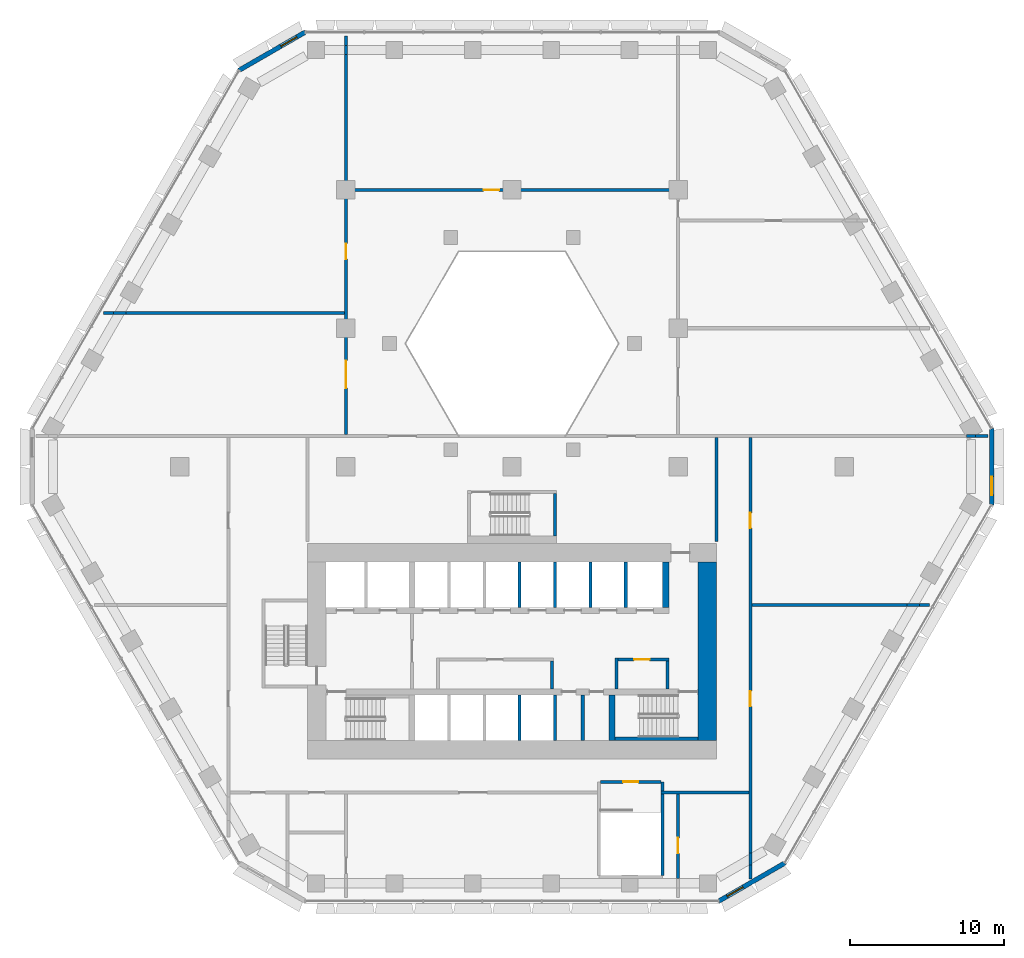
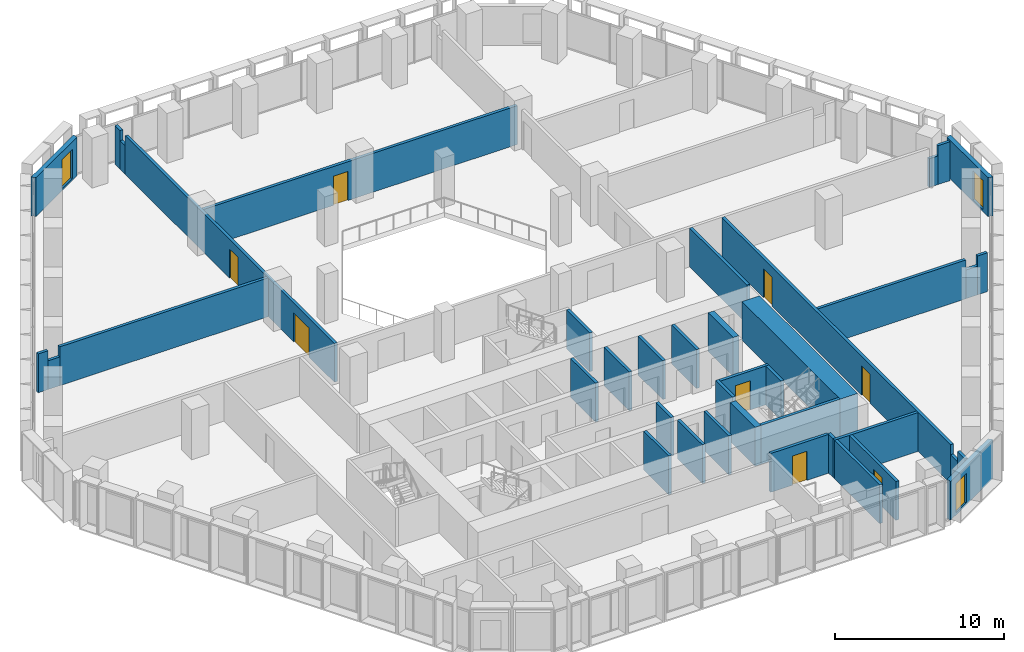
# One storey, part 13 of 21: 39 walls, 8 doors, 3 windows, 11 openings.
"""IFC4 building model written with IfcOpenShell, lengths in metres."""

from ifc_helpers import new_model, si_unit, direction, frame, frame_2d, origin, place, context, subcontext, project, spatial, polyline, rectangle, outline, extrude, material, layer, layer_set, type_object, element, fill, save


model = new_model("IFC4")

# Units and contexts
model_context = context("Model", 3, precision=1e-05, world=origin(), true_north=direction((0.0, 1.0)))
body_context = subcontext(model_context, "Body", "Model", "MODEL_VIEW")
ifc_project = project(units=[si_unit("LENGTHUNIT", "METRE"), si_unit("AREAUNIT", "SQUARE_METRE"), si_unit("VOLUMEUNIT", "CUBIC_METRE"), si_unit("PLANEANGLEUNIT", "RADIAN"), si_unit("MASSUNIT", "GRAM", prefix="KILO")], contexts=[model_context])

# Site, building, storey
site_placement = place(None, origin())
site = spatial("IfcSite", under=ifc_project, at=site_placement, CompositionType="ELEMENT")
building_placement = place(site_placement, origin())
building = spatial("IfcBuilding", under=site, at=building_placement, Name="Beryl Residences", CompositionType="ELEMENT")
storey_placement = place(building_placement, frame((0.0, 0.0, 19.800048828125)))
storey = spatial("IfcBuildingStorey", under=building, at=storey_placement, Name="L05", CompositionType="ELEMENT", Elevation=19.800048828125)

# Wall, opening, window
ifc_material_1 = material(Name="Composite metal panel with mineral wool insulation")
ifc_layer_1 = layer(ifc_material_1, 0.300048828125)
ifc_layer_set_1 = layer_set([ifc_layer_1], Name="ES1 pale metal composite panel wall 300 mm")
wall_type_1 = type_object("IfcWallType", Name="ES1 pale metal composite panel wall 300 mm", PredefinedType="SOLIDWALL", material=ifc_layer_set_1)
wall_1_placement = place(storey_placement, frame((-13.43505859375, 28.27001953125, 0.0), z_axis=(0.0, 0.0, 1.0), x_axis=(-0.866010750942, -0.50002537861, 0.0)))
wall_1 = element("IfcWall", 1, at=wall_1_placement, inside=storey, type_object=wall_type_1, Name="ES1 external wall L05 N-NW", PredefinedType="SOLIDWALL", context=body_context, shape_type="SweptSolid", body=[
    extrude(outline(polyline([(0.0, -0.14990234375), (4.999755859375, -0.14990234375), (4.91943359375, 0.14990234375), (0.080322265625, 0.14990234375), (0.0, -0.14990234375)])), origin(), (0.0, 0.0, 1.0), 2.800048828125),
])
opening_1_placement = place(wall_1_placement, frame((0.64990234375, 0.0, 0.14990234375)))
opening_1 = element("IfcOpeningElement", 2, at=opening_1_placement, cuts=wall_1, Name="Opening W2", PredefinedType="OPENING", context=body_context, shape_type="SweptSolid", body=[
    extrude(rectangle(XDim=1.199951171875, YDim=2.10009765625, at=frame_2d((0.60009765625, 1.050048828125))), frame((0.0, 0.159912109375, 0.0), z_axis=(0.0, -1.0, 0.0), x_axis=(1.0, 0.0, 0.0)), (0.0, 0.0, 1.0), 0.320068359375),
])
ifc_material_2 = material(Name="Aluminium and clear glass", Category="aluminium")
window_type = type_object("IfcWindowType", Name="W2 chamfer window 1200 x 2100 mm", PartitioningType="SINGLE_PANEL", PredefinedType="WINDOW", material=ifc_material_2)
window_1_placement = place(opening_1_placement, origin())
window_1 = element("IfcWindow", 3, at=window_1_placement, inside=storey, type_object=window_type, Name="W2 window L05 N-NW 1", OverallHeight=2.10009765625, OverallWidth=1.199951171875, PartitioningType="SINGLE_PANEL", PredefinedType="WINDOW", context=body_context, shape_type="SweptSolid", body=[
    extrude(rectangle(XDim=1.199951171875, YDim=2.10009765625, at=frame_2d((0.60009765625, 1.050048828125))), frame((0.0, 0.030029296875, 0.0), z_axis=(0.0, -1.0, 0.0), x_axis=(1.0, 0.0, 0.0)), (0.0, 0.0, 1.0), 0.06005859375),
])
fill(opening_1, window_1)

wall_2_placement = place(storey_placement, frame((13.43505859375, -28.27001953125, 0.0), z_axis=(0.0, 0.0, 1.0), x_axis=(0.866010750942, 0.50002537861, 0.0)))
wall_2 = element("IfcWall", 4, at=wall_2_placement, inside=storey, type_object=wall_type_1, Name="ES1 external wall L05 S-SE", PredefinedType="SOLIDWALL", context=body_context, shape_type="SweptSolid", body=[
    extrude(outline(polyline([(0.0, -0.14990234375), (4.999755859375, -0.14990234375), (4.91943359375, 0.14990234375), (0.080322265625, 0.14990234375), (0.0, -0.14990234375)])), origin(), (0.0, 0.0, 1.0), 2.800048828125),
])
opening_2_placement = place(wall_2_placement, frame((0.64990234375, 0.0, 0.14990234375)))
opening_2 = element("IfcOpeningElement", 5, at=opening_2_placement, cuts=wall_2, Name="Opening W2", PredefinedType="OPENING", context=body_context, shape_type="SweptSolid", body=[
    extrude(rectangle(XDim=1.199951171875, YDim=2.10009765625, at=frame_2d((0.60009765625, 1.050048828125))), frame((0.0, 0.159912109375, 0.0), z_axis=(0.0, -1.0, 0.0), x_axis=(1.0, 0.0, 0.0)), (0.0, 0.0, 1.0), 0.320068359375),
])
window_2_placement = place(opening_2_placement, origin())
window_2 = element("IfcWindow", 6, at=window_2_placement, inside=storey, type_object=window_type, Name="W2 window L05 S-SE 1", OverallHeight=2.10009765625, OverallWidth=1.199951171875, PartitioningType="SINGLE_PANEL", PredefinedType="WINDOW", context=body_context, shape_type="SweptSolid", body=[
    extrude(rectangle(XDim=1.199951171875, YDim=2.10009765625, at=frame_2d((0.60009765625, 1.050048828125))), frame((0.0, 0.030029296875, 0.0), z_axis=(0.0, -1.0, 0.0), x_axis=(1.0, 0.0, 0.0)), (0.0, 0.0, 1.0), 0.06005859375),
])
fill(opening_2, window_2)

wall_3_placement = place(storey_placement, frame((31.199951171875, -2.5, 0.0), z_axis=(0.0, 0.0, 1.0), x_axis=(0.0, 1.0, 0.0)))
wall_3 = element("IfcWall", 7, at=wall_3_placement, inside=storey, type_object=wall_type_1, Name="ES1 external wall L05 SE-NE", PredefinedType="SOLIDWALL", context=body_context, shape_type="SweptSolid", body=[
    extrude(outline(polyline([(0.0, -0.14990234375), (5.0, -0.14990234375), (4.919677734375, 0.14990234375), (0.080322265625, 0.14990234375), (0.0, -0.14990234375)])), origin(), (0.0, 0.0, 1.0), 2.800048828125),
])
opening_3_placement = place(wall_3_placement, frame((0.64990234375, 0.0, 0.14990234375)))
opening_3 = element("IfcOpeningElement", 8, at=opening_3_placement, cuts=wall_3, Name="Opening W2", PredefinedType="OPENING", context=body_context, shape_type="SweptSolid", body=[
    extrude(rectangle(XDim=1.199951171875, YDim=2.10009765625, at=frame_2d((0.60009765625, 1.050048828125))), frame((0.0, 0.159912109375, 0.0), z_axis=(0.0, -1.0, 0.0), x_axis=(1.0, 0.0, 0.0)), (0.0, 0.0, 1.0), 0.320068359375),
])
window_3_placement = place(opening_3_placement, origin())
window_3 = element("IfcWindow", 9, at=window_3_placement, inside=storey, type_object=window_type, Name="W2 window L05 SE-NE 1", OverallHeight=2.10009765625, OverallWidth=1.199951171875, PartitioningType="SINGLE_PANEL", PredefinedType="WINDOW", context=body_context, shape_type="SweptSolid", body=[
    extrude(rectangle(XDim=1.199951171875, YDim=2.10009765625, at=frame_2d((0.60009765625, 1.050048828125))), frame((0.0, 0.030029296875, 0.0), z_axis=(0.0, -1.0, 0.0), x_axis=(1.0, 0.0, 0.0)), (0.0, 0.0, 1.0), 0.06005859375),
])
fill(opening_3, window_3)

# Walls
ifc_material_3 = material(Name="Concrete masonry", Category="masonry")
ifc_layer_2 = layer(ifc_material_3, 0.199951171875)
ifc_layer_set_2 = layer_set([ifc_layer_2], Name="PT13 lobby wall 200 mm")
wall_type_2 = type_object("IfcWallType", Name="PT13 lobby wall 200 mm", PredefinedType="PARTITIONING", material=ifc_layer_set_2)
wall_4_placement = place(storey_placement, frame((2.60009765625, -14.449951171875, 0.0), z_axis=(0.0, 0.0, 1.0), x_axis=(0.0, 1.0, 0.0)))
element("IfcWall", 10, at=wall_4_placement, inside=storey, type_object=wall_type_2, Name="Lobby wall 15", PredefinedType="PARTITIONING", context=body_context, shape_type="SweptSolid", body=[
    extrude(rectangle(XDim=1.800048828125, YDim=0.199951171875, at=frame_2d((0.89990234375, 0.0))), origin(), (0.0, 0.0, 1.0), 2.800048828125),
])
wall_5_placement = place(storey_placement, frame((6.800048828125, -14.449951171875, 0.0), z_axis=(0.0, 0.0, 1.0), x_axis=(0.0, 1.0, 0.0)))
element("IfcWall", 11, at=wall_5_placement, inside=storey, type_object=wall_type_2, Name="Lobby wall 21", PredefinedType="PARTITIONING", context=body_context, shape_type="SweptSolid", body=[
    extrude(rectangle(XDim=2.0, YDim=0.199951171875, at=frame_2d((1.0, 0.0))), origin(), (0.0, 0.0, 1.0), 2.800048828125),
])

# Wall, opening, door
wall_6_placement = place(storey_placement, frame((6.89990234375, -12.550048828125, 0.0), z_axis=(0.0, 0.0, 1.0), x_axis=(1.0, 0.0, 0.0)))
wall_6 = element("IfcWall", 12, at=wall_6_placement, inside=storey, type_object=wall_type_2, Name="Lobby wall 22", PredefinedType="PARTITIONING", context=body_context, shape_type="SweptSolid", body=[
    extrude(rectangle(XDim=3.300048828125, YDim=0.199951171875, at=frame_2d((1.64990234375, 0.0))), origin(), (0.0, 0.0, 1.0), 2.800048828125),
])
opening_4_placement = place(wall_6_placement, frame((2.050048828125, 0.0, 0.0), z_axis=(0.0, 0.0, 1.0), x_axis=(-1.0, 0.0, 0.0)))
opening_4 = element("IfcOpeningElement", 13, at=opening_4_placement, cuts=wall_6, Name="Opening CD-D-A2", PredefinedType="OPENING", context=body_context, shape_type="SweptSolid", body=[
    extrude(rectangle(XDim=1.0, YDim=2.10009765625, at=frame_2d((0.5, 1.050048828125))), frame((0.0, 0.10986328125, 0.0), z_axis=(0.0, -1.0, 0.0), x_axis=(1.0, 0.0, 0.0)), (0.0, 0.0, 1.0), 0.219970703125),
])
ifc_material_4 = material(Name="Steel door leaf in steel frame", Category="steel")
door_type_1 = type_object("IfcDoorType", Name="D18 service room door 1000 x 2100 mm", OperationType="SINGLE_SWING_LEFT", PredefinedType="DOOR", material=ifc_material_4)
door_1_placement = place(opening_4_placement, origin())
door_1 = element("IfcDoor", 14, at=door_1_placement, inside=storey, type_object=door_type_1, Name="Door CD-D-A2 L05 001", OperationType="SINGLE_SWING_LEFT", OverallHeight=2.10009765625, OverallWidth=1.0, PredefinedType="DOOR", context=body_context, shape_type="SweptSolid", body=[
    extrude(rectangle(XDim=1.0, YDim=2.10009765625, at=frame_2d((0.5, 1.050048828125))), frame((0.0, 0.02490234375, 0.0), z_axis=(0.0, -1.0, 0.0), x_axis=(1.0, 0.0, 0.0)), (0.0, 0.0, 1.0), 0.050048828125),
])
fill(opening_4, door_1)

# Walls
wall_7_placement = place(storey_placement, frame((10.10009765625, -14.449951171875, 0.0), z_axis=(0.0, 0.0, 1.0), x_axis=(0.0, 1.0, 0.0)))
element("IfcWall", 15, at=wall_7_placement, inside=storey, type_object=wall_type_2, Name="Lobby wall 24", PredefinedType="PARTITIONING", context=body_context, shape_type="SweptSolid", body=[
    extrude(rectangle(XDim=1.800048828125, YDim=0.199951171875, at=frame_2d((0.89990234375, 0.0))), origin(), (0.0, 0.0, 1.0), 2.800048828125),
])
ifc_material_5 = material(Name="Double stud gypsum board wall")
ifc_layer_3 = layer(ifc_material_5, 0.199951171875)
ifc_layer_set_3 = layer_set([ifc_layer_3], Name="PT4 corridor wall 200 mm double stud")
wall_type_3 = type_object("IfcWallType", Name="PT4 corridor wall 200 mm double stud", PredefinedType="PARTITIONING", material=ifc_layer_set_3)
wall_8_placement = place(storey_placement, frame((15.60009765625, -9.0, 0.0), z_axis=(0.0, 0.0, 1.0), x_axis=(1.0, 0.0, 0.0)))
element("IfcWall", 16, at=wall_8_placement, inside=storey, type_object=wall_type_3, Name="Wall PT4 L05 005", PredefinedType="PARTITIONING", context=body_context, shape_type="SweptSolid", body=[
    extrude(rectangle(XDim=10.091796875, YDim=0.199951171875, at=frame_2d((5.0458984375, 0.0))), origin(), (0.0, 0.0, 1.0), 2.800048828125),
])
wall_9_placement = place(storey_placement, frame((25.69189453125, -9.0, 0.0), z_axis=(0.0, 0.0, 1.0), x_axis=(1.0, 0.0, 0.0)))
element("IfcWall", 17, at=wall_9_placement, inside=storey, type_object=wall_type_3, Name="Wall PT4 L05 006", PredefinedType="PARTITIONING", context=body_context, shape_type="SweptSolid", body=[
    extrude(rectangle(XDim=0.80908203125, YDim=0.199951171875, at=frame_2d((0.404541015625, 0.0))), origin(), (0.0, 0.0, 1.0), 2.070068359375),
])
wall_10_placement = place(storey_placement, frame((26.5009765625, -9.0, 0.0), z_axis=(0.0, 0.0, 1.0), x_axis=(1.0, 0.0, 0.0)))
element("IfcWall", 18, at=wall_10_placement, inside=storey, type_object=wall_type_3, Name="Wall PT4 L05 007", PredefinedType="PARTITIONING", context=body_context, shape_type="SweptSolid", body=[
    extrude(rectangle(XDim=0.656982421875, YDim=0.199951171875, at=frame_2d((0.32861328125, 0.0))), origin(), (0.0, 0.0, 1.0), 2.800048828125),
])
wall_11_placement = place(storey_placement, frame((29.548095703125, 2.0, 0.0), z_axis=(0.0, 0.0, 1.0), x_axis=(1.0, 0.0, 0.0)))
element("IfcWall", 19, at=wall_11_placement, inside=storey, type_object=wall_type_3, Name="Wall PT4 L05 011", PredefinedType="PARTITIONING", context=body_context, shape_type="SweptSolid", body=[
    extrude(rectangle(XDim=0.599853515625, YDim=0.199951171875, at=frame_2d((0.2998046875, 0.0))), origin(), (0.0, 0.0, 1.0), 2.070068359375),
])
wall_12_placement = place(storey_placement, frame((30.14794921875, 2.0, 0.0), z_axis=(0.0, 0.0, 1.0), x_axis=(1.0, 0.0, 0.0)))
element("IfcWall", 20, at=wall_12_placement, inside=storey, type_object=wall_type_3, Name="Wall PT4 L05 012", PredefinedType="PARTITIONING", context=body_context, shape_type="SweptSolid", body=[
    extrude(rectangle(XDim=0.822021484375, YDim=0.199951171875, at=frame_2d((0.4111328125, 0.0))), origin(), (0.0, 0.0, 1.0), 2.800048828125),
])
wall_13_placement = place(storey_placement, frame((-26.5810546875, 10.0, 0.0), z_axis=(0.0, 0.0, 1.0), x_axis=(1.0, 0.0, 0.0)))
element("IfcWall", 21, at=wall_13_placement, inside=storey, type_object=wall_type_3, Name="Wall PT4 L05 016", PredefinedType="PARTITIONING", context=body_context, shape_type="SweptSolid", body=[
    extrude(rectangle(XDim=0.657958984375, YDim=0.199951171875, at=frame_2d((0.3291015625, 0.0))), origin(), (0.0, 0.0, 1.0), 2.800048828125),
])
wall_14_placement = place(storey_placement, frame((-25.923095703125, 10.0, 0.0), z_axis=(0.0, 0.0, 1.0), x_axis=(1.0, 0.0, 0.0)))
element("IfcWall", 22, at=wall_14_placement, inside=storey, type_object=wall_type_3, Name="Wall PT4 L05 017", PredefinedType="PARTITIONING", context=body_context, shape_type="SweptSolid", body=[
    extrude(rectangle(XDim=0.80810546875, YDim=0.199951171875, at=frame_2d((0.404052734375, 0.0))), origin(), (0.0, 0.0, 1.0), 2.070068359375),
])
wall_15_placement = place(storey_placement, frame((-25.114990234375, 10.0, 0.0), z_axis=(0.0, 0.0, 1.0), x_axis=(1.0, 0.0, 0.0)))
element("IfcWall", 23, at=wall_15_placement, inside=storey, type_object=wall_type_3, Name="Wall PT4 L05 018", PredefinedType="PARTITIONING", context=body_context, shape_type="SweptSolid", body=[
    extrude(rectangle(XDim=14.215087890625, YDim=0.199951171875, at=frame_2d((7.107421875, 0.0))), origin(), (0.0, 0.0, 1.0), 2.800048828125),
])

# Wall, opening, door
wall_16_placement = place(storey_placement, frame((-10.699951171875, 18.0, 0.0), z_axis=(0.0, 0.0, 1.0), x_axis=(1.0, 0.0, 0.0)))
wall_16 = element("IfcWall", 24, at=wall_16_placement, inside=storey, type_object=wall_type_3, Name="Wall PT4 L05 022", PredefinedType="PARTITIONING", context=body_context, shape_type="SweptSolid", body=[
    extrude(rectangle(XDim=21.39990234375, YDim=0.199951171875, at=frame_2d((10.699951171875, 0.0))), origin(), (0.0, 0.0, 1.0), 2.800048828125),
])
opening_5_placement = place(wall_16_placement, frame((8.860107421875, 0.0, 0.0)))
opening_5 = element("IfcOpeningElement", 25, at=opening_5_placement, cuts=wall_16, Name="Opening L05-13", PredefinedType="OPENING", context=body_context, shape_type="SweptSolid", body=[
    extrude(rectangle(XDim=1.0, YDim=2.10009765625, at=frame_2d((0.5, 1.050048828125))), frame((0.0, 0.10986328125, 0.0), z_axis=(0.0, -1.0, 0.0), x_axis=(1.0, 0.0, 0.0)), (0.0, 0.0, 1.0), 0.219970703125),
])
ifc_material_6 = material(Name="Timber door leaf", Category="wood")
door_type_2 = type_object("IfcDoorType", Name="D9 corridor door 1000 x 2100 mm", OperationType="SINGLE_SWING_LEFT", PredefinedType="DOOR", material=ifc_material_6)
door_2_placement = place(opening_5_placement, origin())
door_2 = element("IfcDoor", 26, at=door_2_placement, inside=storey, type_object=door_type_2, Name="Door L05-13 L05 001", OperationType="SINGLE_SWING_LEFT", OverallHeight=2.10009765625, OverallWidth=1.0, PredefinedType="DOOR", context=body_context, shape_type="SweptSolid", body=[
    extrude(rectangle(XDim=1.0, YDim=2.10009765625, at=frame_2d((0.5, 1.050048828125))), frame((0.0, 0.02490234375, 0.0), z_axis=(0.0, -1.0, 0.0), x_axis=(1.0, 0.0, 0.0)), (0.0, 0.0, 1.0), 0.050048828125),
])
fill(opening_5, door_2)

# Wall, openings, doors
wall_17_placement = place(storey_placement, frame((-10.800048828125, 2.10009765625, 0.0), z_axis=(0.0, 0.0, 1.0), x_axis=(0.0, 1.0, 0.0)))
wall_17 = element("IfcWall", 27, at=wall_17_placement, inside=storey, type_object=wall_type_3, Name="Wall PT4 L05 027", PredefinedType="PARTITIONING", context=body_context, shape_type="SweptSolid", body=[
    extrude(rectangle(XDim=24.699951171875, YDim=0.199951171875, at=frame_2d((12.35009765625, 0.0))), origin(), (0.0, 0.0, 1.0), 2.800048828125),
])
opening_6_placement = place(wall_17_placement, frame((3.001953125, 0.0, 0.0)))
opening_6 = element("IfcOpeningElement", 28, at=opening_6_placement, cuts=wall_17, Name="Opening L05-09", PredefinedType="OPENING", context=body_context, shape_type="SweptSolid", body=[
    extrude(rectangle(XDim=1.800048828125, YDim=2.10009765625, at=frame_2d((0.89990234375, 1.050048828125))), frame((0.0, 0.10986328125, 0.0), z_axis=(0.0, -1.0, 0.0), x_axis=(1.0, 0.0, 0.0)), (0.0, 0.0, 1.0), 0.219970703125),
])
opening_7_placement = place(wall_17_placement, frame((11.39794921875, 0.0, 0.0)))
opening_7 = element("IfcOpeningElement", 29, at=opening_7_placement, cuts=wall_17, Name="Opening L05-10", PredefinedType="OPENING", context=body_context, shape_type="SweptSolid", body=[
    extrude(rectangle(XDim=1.0, YDim=2.10009765625, at=frame_2d((0.5, 1.050048828125))), frame((0.0, 0.10986328125, 0.0), z_axis=(0.0, -1.0, 0.0), x_axis=(1.0, 0.0, 0.0)), (0.0, 0.0, 1.0), 0.219970703125),
])
ifc_material_7 = material(Name="Timber door leaf", Category="wood")
door_type_3 = type_object("IfcDoorType", Name="D20 corridor door 1800 x 2100 mm", OperationType="DOUBLE_DOOR_SINGLE_SWING", PredefinedType="DOOR", material=ifc_material_7)
door_3_placement = place(opening_6_placement, origin())
door_3 = element("IfcDoor", 30, at=door_3_placement, inside=storey, type_object=door_type_3, Name="Door L05-09 L05 001", OperationType="DOUBLE_DOOR_SINGLE_SWING", OverallHeight=2.10009765625, OverallWidth=1.800048828125, PredefinedType="DOOR", context=body_context, shape_type="SweptSolid", body=[
    extrude(rectangle(XDim=1.800048828125, YDim=2.10009765625, at=frame_2d((0.89990234375, 1.050048828125))), frame((0.0, 0.02490234375, 0.0), z_axis=(0.0, -1.0, 0.0), x_axis=(1.0, 0.0, 0.0)), (0.0, 0.0, 1.0), 0.050048828125),
])
fill(opening_6, door_3)
door_4_placement = place(opening_7_placement, origin())
door_4 = element("IfcDoor", 31, at=door_4_placement, inside=storey, type_object=door_type_2, Name="Door L05-10 L05 001", OperationType="SINGLE_SWING_RIGHT", OverallHeight=2.10009765625, OverallWidth=1.0, PredefinedType="DOOR", context=body_context, shape_type="SweptSolid", body=[
    extrude(rectangle(XDim=1.0, YDim=2.10009765625, at=frame_2d((0.5, 1.050048828125))), frame((0.0, 0.02490234375, 0.0), z_axis=(0.0, -1.0, 0.0), x_axis=(1.0, 0.0, 0.0)), (0.0, 0.0, 1.0), 0.050048828125),
])
fill(opening_7, door_4)

# Walls
wall_18_placement = place(storey_placement, frame((-10.800048828125, 26.800048828125, 0.0), z_axis=(0.0, 0.0, 1.0), x_axis=(0.0, 1.0, 0.0)))
element("IfcWall", 32, at=wall_18_placement, inside=storey, type_object=wall_type_3, Name="Wall PT4 L05 028", PredefinedType="PARTITIONING", context=body_context, shape_type="SweptSolid", body=[
    extrude(rectangle(XDim=0.599853515625, YDim=0.199951171875, at=frame_2d((0.2998046875, 0.0))), origin(), (0.0, 0.0, 1.0), 2.070068359375),
])
wall_19_placement = place(storey_placement, frame((-10.800048828125, 27.39990234375, 0.0), z_axis=(0.0, 0.0, 1.0), x_axis=(0.0, 1.0, 0.0)))
element("IfcWall", 33, at=wall_19_placement, inside=storey, type_object=wall_type_3, Name="Wall PT4 L05 029", PredefinedType="PARTITIONING", context=body_context, shape_type="SweptSolid", body=[
    extrude(rectangle(XDim=0.6201171875, YDim=0.199951171875, at=frame_2d((0.31005859375, 0.0))), origin(), (0.0, 0.0, 1.0), 2.800048828125),
])
wall_20_placement = place(storey_placement, frame((13.300048828125, -4.8798828125, 0.0), z_axis=(0.0, 0.0, 1.0), x_axis=(0.0, 1.0, 0.0)))
element("IfcWall", 34, at=wall_20_placement, inside=storey, type_object=wall_type_3, Name="Wall PT4 L05 033", PredefinedType="PARTITIONING", context=body_context, shape_type="SweptSolid", body=[
    extrude(rectangle(XDim=6.77978515625, YDim=0.199951171875, at=frame_2d((3.389892578125, 0.0))), origin(), (0.0, 0.0, 1.0), 2.800048828125),
])
ifc_material_8 = material(Name="Concrete C40/50", Category="concrete")
ifc_layer_4 = layer(ifc_material_8, 0.199951171875)
ifc_layer_set_4 = layer_set([ifc_layer_4], Name="PT5 stair enclosure wall 200 mm reinforced concrete C40/50")
wall_type_4 = type_object("IfcWallType", Name="PT5 stair enclosure wall 200 mm reinforced concrete C40/50", PredefinedType="SOLIDWALL", material=ifc_layer_set_4)
wall_21_placement = place(storey_placement, frame((2.800048828125, -4.5, 0.0), z_axis=(0.0, 0.0, 1.0), x_axis=(0.0, 1.0, 0.0)))
element("IfcWall", 35, at=wall_21_placement, inside=storey, type_object=wall_type_4, Name="Wall PT5 L05 003", PredefinedType="SOLIDWALL", context=body_context, shape_type="SweptSolid", body=[
    extrude(rectangle(XDim=2.75, YDim=0.199951171875, at=frame_2d((1.375, 0.0))), origin(), (0.0, 0.0, 1.0), 2.800048828125),
])

# Wall, opening, door
wall_22_placement = place(storey_placement, frame((5.75, -20.5, 0.0), z_axis=(0.0, 0.0, 1.0), x_axis=(1.0, 0.0, 0.0)))
wall_22 = element("IfcWall", 36, at=wall_22_placement, inside=storey, type_object=wall_type_4, Name="Wall PT5 L05 005", PredefinedType="SOLIDWALL", context=body_context, shape_type="SweptSolid", body=[
    extrude(rectangle(XDim=3.949951171875, YDim=0.199951171875, at=frame_2d((1.97509765625, 0.0))), origin(), (0.0, 0.0, 1.0), 2.800048828125),
])
opening_8_placement = place(wall_22_placement, frame((2.47509765625, 0.0, 0.0), z_axis=(0.0, 0.0, 1.0), x_axis=(-1.0, 0.0, 0.0)))
opening_8 = element("IfcOpeningElement", 37, at=opening_8_placement, cuts=wall_22, Name="Opening L05-16", PredefinedType="OPENING", context=body_context, shape_type="SweptSolid", body=[
    extrude(rectangle(XDim=1.0, YDim=2.10009765625, at=frame_2d((0.5, 1.050048828125))), frame((0.0, 0.10986328125, 0.0), z_axis=(0.0, -1.0, 0.0), x_axis=(1.0, 0.0, 0.0)), (0.0, 0.0, 1.0), 0.219970703125),
])
ifc_material_9 = material(Name="Steel door leaf in steel frame", Category="steel")
door_type_4 = type_object("IfcDoorType", Name="D15 stair door 1000 x 2100 mm", OperationType="SINGLE_SWING_LEFT", PredefinedType="DOOR", material=ifc_material_9)
door_5_placement = place(opening_8_placement, origin())
door_5 = element("IfcDoor", 38, at=door_5_placement, inside=storey, type_object=door_type_4, Name="Door L05-16 L05 001", OperationType="SINGLE_SWING_LEFT", OverallHeight=2.10009765625, OverallWidth=1.0, PredefinedType="DOOR", context=body_context, shape_type="SweptSolid", body=[
    extrude(rectangle(XDim=1.0, YDim=2.10009765625, at=frame_2d((0.5, 1.050048828125))), frame((0.0, 0.02490234375, 0.0), z_axis=(0.0, -1.0, 0.0), x_axis=(1.0, 0.0, 0.0)), (0.0, 0.0, 1.0), 0.050048828125),
])
fill(opening_8, door_5)

# Walls
wall_23_placement = place(storey_placement, frame((9.800048828125, -26.60009765625, 0.0), z_axis=(0.0, 0.0, 1.0), x_axis=(0.0, 1.0, 0.0)))
element("IfcWall", 39, at=wall_23_placement, inside=storey, type_object=wall_type_4, Name="Wall PT5 L05 007", PredefinedType="SOLIDWALL", context=body_context, shape_type="SweptSolid", body=[
    extrude(rectangle(XDim=6.10009765625, YDim=0.199951171875, at=frame_2d((3.050048828125, 0.0))), origin(), (0.0, 0.0, 1.0), 2.800048828125),
])
wall_24_placement = place(storey_placement, frame((6.699951171875, -17.699951171875, 0.0), z_axis=(0.0, 0.0, 1.0), x_axis=(1.0, 0.0, 0.0)))
element("IfcWall", 40, at=wall_24_placement, inside=storey, type_object=wall_type_4, Name="Stair wall 20", PredefinedType="SOLIDWALL", context=body_context, shape_type="SweptSolid", body=[
    extrude(rectangle(XDim=5.400146484375, YDim=0.199951171875, at=frame_2d((2.7001953125, 0.0))), origin(), (0.0, 0.0, 1.0), 2.800048828125),
])
ifc_material_10 = material(Name="Concrete C40/50", Category="concrete")
ifc_layer_5 = layer(ifc_material_10, 0.199951171875)
ifc_layer_set_5 = layer_set([ifc_layer_5], Name="PT6 lift shaft wall 200 mm reinforced concrete C40/50")
wall_type_5 = type_object("IfcWallType", Name="PT6 lift shaft wall 200 mm reinforced concrete C40/50", PredefinedType="SOLIDWALL", material=ifc_layer_set_5)
for number, where, z_axis, x_axis, name in (
    (41, (0.5, -17.800048828125, 0.0), (0.0, 0.0, 1.0), (0.0, 1.0, 0.0), "Lift shaft wall 13"),
    (42, (0.5, -9.14990234375, 0.0), (0.0, 0.0, 1.0), (0.0, 1.0, 0.0), "Lift shaft wall 14"),
    (43, (2.800048828125, -17.800048828125, 0.0), (0.0, 0.0, 1.0), (0.0, 1.0, 0.0), "Lift shaft wall 16"),
    (44, (2.800048828125, -9.14990234375, 0.0), (0.0, 0.0, 1.0), (0.0, 1.0, 0.0), "Lift shaft wall 17"),
    (45, (5.10009765625, -9.14990234375, 0.0), (0.0, 0.0, 1.0), (0.0, 1.0, 0.0), "Lift shaft wall 19"),
    (46, (7.39990234375, -9.14990234375, 0.0), (0.0, 0.0, 1.0), (0.0, 1.0, 0.0), "Lift shaft wall 23"),
):
    element("IfcWall", number, at=place(storey_placement, frame(where, z_axis=z_axis, x_axis=x_axis)), inside=storey, type_object=wall_type_5, Name=name, PredefinedType="SOLIDWALL", context=body_context, shape_type="SweptSolid", body=[
        extrude(rectangle(XDim=2.949951171875, YDim=0.199951171875, at=frame_2d((1.47509765625, 0.0))), origin(), (0.0, 0.0, 1.0), 2.800048828125),
    ])
ifc_material_11 = material(Name="Concrete masonry", Category="masonry")
ifc_layer_6 = layer(ifc_material_11, 0.199951171875)
ifc_layer_set_6 = layer_set([ifc_layer_6], Name="PT8-200 service room wall 200 mm")
wall_type_6 = type_object("IfcWallType", Name="PT8-200 service room wall 200 mm", PredefinedType="PARTITIONING", material=ifc_layer_set_6)
wall_25_placement = place(storey_placement, frame((9.699951171875, -21.199951171875, 0.0), z_axis=(0.0, 0.0, 1.0), x_axis=(1.0, 0.0, 0.0)))
element("IfcWall", 47, at=wall_25_placement, inside=storey, type_object=wall_type_6, Name="Wall PT8-200 L05 002", PredefinedType="PARTITIONING", context=body_context, shape_type="SweptSolid", body=[
    extrude(rectangle(XDim=5.699951171875, YDim=0.199951171875, at=frame_2d((2.85009765625, 0.0))), origin(), (0.0, 0.0, 1.0), 2.800048828125),
])

# Wall, opening, door
wall_26_placement = place(storey_placement, frame((10.800048828125, -26.800048828125, 0.0), z_axis=(0.0, 0.0, 1.0), x_axis=(0.0, 1.0, 0.0)))
wall_26 = element("IfcWall", 48, at=wall_26_placement, inside=storey, type_object=wall_type_6, Name="Wall PT8-200 L05 011", PredefinedType="PARTITIONING", context=body_context, shape_type="SweptSolid", body=[
    extrude(rectangle(XDim=5.5, YDim=0.199951171875, at=frame_2d((2.75, 0.0))), origin(), (0.0, 0.0, 1.0), 2.800048828125),
])
opening_9_placement = place(wall_26_placement, frame((2.64990234375, 0.0, 0.0), z_axis=(0.0, 0.0, 1.0), x_axis=(-1.0, 0.0, 0.0)))
opening_9 = element("IfcOpeningElement", 49, at=opening_9_placement, cuts=wall_26, Name="Opening L05-04", PredefinedType="OPENING", context=body_context, shape_type="SweptSolid", body=[
    extrude(rectangle(XDim=1.0, YDim=2.10009765625, at=frame_2d((0.5, 1.050048828125))), frame((0.0, 0.10986328125, 0.0), z_axis=(0.0, -1.0, 0.0), x_axis=(1.0, 0.0, 0.0)), (0.0, 0.0, 1.0), 0.219970703125),
])
door_6_placement = place(opening_9_placement, origin())
door_6 = element("IfcDoor", 50, at=door_6_placement, inside=storey, type_object=door_type_2, Name="Door L05-04 L05 001", OperationType="SINGLE_SWING_LEFT", OverallHeight=2.10009765625, OverallWidth=1.0, PredefinedType="DOOR", context=body_context, shape_type="SweptSolid", body=[
    extrude(rectangle(XDim=1.0, YDim=2.10009765625, at=frame_2d((0.5, 1.050048828125))), frame((0.0, 0.02490234375, 0.0), z_axis=(0.0, -1.0, 0.0), x_axis=(1.0, 0.0, 0.0)), (0.0, 0.0, 1.0), 0.050048828125),
])
fill(opening_9, door_6)

# Walls
wall_27_placement = place(storey_placement, frame((15.5, -26.81201171875, 0.0), z_axis=(0.0, 0.0, 1.0), x_axis=(0.0, 1.0, 0.0)))
element("IfcWall", 51, at=wall_27_placement, inside=storey, type_object=wall_type_6, Name="Wall PT8-200 L05 012", PredefinedType="PARTITIONING", context=body_context, shape_type="SweptSolid", body=[
    extrude(rectangle(XDim=0.889892578125, YDim=0.199951171875, at=frame_2d((0.44482421875, 0.0))), origin(), (0.0, 0.0, 1.0), 2.800048828125),
])
wall_28_placement = place(storey_placement, frame((15.5, -25.922119140625, 0.0), z_axis=(0.0, 0.0, 1.0), x_axis=(0.0, 1.0, 0.0)))
element("IfcWall", 52, at=wall_28_placement, inside=storey, type_object=wall_type_6, Name="Wall PT8-200 L05 013", PredefinedType="PARTITIONING", context=body_context, shape_type="SweptSolid", body=[
    extrude(rectangle(XDim=0.80810546875, YDim=0.199951171875, at=frame_2d((0.404052734375, 0.0))), origin(), (0.0, 0.0, 1.0), 2.070068359375),
])

# Wall, openings, doors
wall_29_placement = place(storey_placement, frame((15.5, -25.114013671875, 0.0), z_axis=(0.0, 0.0, 1.0), x_axis=(0.0, 1.0, 0.0)))
wall_29 = element("IfcWall", 53, at=wall_29_placement, inside=storey, type_object=wall_type_6, Name="Wall PT8-200 L05 014", PredefinedType="PARTITIONING", context=body_context, shape_type="SweptSolid", body=[
    extrude(rectangle(XDim=27.013916015625, YDim=0.199951171875, at=frame_2d((13.5068359375, 0.0))), origin(), (0.0, 0.0, 1.0), 2.800048828125),
])
opening_10_placement = place(wall_29_placement, frame((10.51611328125, 0.0, 0.0), z_axis=(0.0, 0.0, 1.0), x_axis=(-1.0, 0.0, 0.0)))
opening_10 = element("IfcOpeningElement", 54, at=opening_10_placement, cuts=wall_29, Name="Opening L05-07", PredefinedType="OPENING", context=body_context, shape_type="SweptSolid", body=[
    extrude(rectangle(XDim=1.0, YDim=2.10009765625, at=frame_2d((0.5, 1.050048828125))), frame((0.0, 0.10986328125, 0.0), z_axis=(0.0, -1.0, 0.0), x_axis=(1.0, 0.0, 0.0)), (0.0, 0.0, 1.0), 0.219970703125),
])
opening_11_placement = place(wall_29_placement, frame((22.112060546875, 0.0, 0.0), z_axis=(0.0, 0.0, 1.0), x_axis=(-1.0, 0.0, 0.0)))
opening_11 = element("IfcOpeningElement", 55, at=opening_11_placement, cuts=wall_29, Name="Opening L05-08", PredefinedType="OPENING", context=body_context, shape_type="SweptSolid", body=[
    extrude(rectangle(XDim=1.0, YDim=2.10009765625, at=frame_2d((0.5, 1.050048828125))), frame((0.0, 0.10986328125, 0.0), z_axis=(0.0, -1.0, 0.0), x_axis=(1.0, 0.0, 0.0)), (0.0, 0.0, 1.0), 0.219970703125),
])
door_7_placement = place(opening_10_placement, origin())
door_7 = element("IfcDoor", 56, at=door_7_placement, inside=storey, type_object=door_type_2, Name="Door L05-07 L05 001", OperationType="SINGLE_SWING_RIGHT", OverallHeight=2.10009765625, OverallWidth=1.0, PredefinedType="DOOR", context=body_context, shape_type="SweptSolid", body=[
    extrude(rectangle(XDim=1.0, YDim=2.10009765625, at=frame_2d((0.5, 1.050048828125))), frame((0.0, 0.02490234375, 0.0), z_axis=(0.0, -1.0, 0.0), x_axis=(1.0, 0.0, 0.0)), (0.0, 0.0, 1.0), 0.050048828125),
])
fill(opening_10, door_7)
door_8_placement = place(opening_11_placement, origin())
door_8 = element("IfcDoor", 57, at=door_8_placement, inside=storey, type_object=door_type_2, Name="Door L05-08 L05 001", OperationType="SINGLE_SWING_LEFT", OverallHeight=2.10009765625, OverallWidth=1.0, PredefinedType="DOOR", context=body_context, shape_type="SweptSolid", body=[
    extrude(rectangle(XDim=1.0, YDim=2.10009765625, at=frame_2d((0.5, 1.050048828125))), frame((0.0, 0.02490234375, 0.0), z_axis=(0.0, -1.0, 0.0), x_axis=(1.0, 0.0, 0.0)), (0.0, 0.0, 1.0), 0.050048828125),
])
fill(opening_11, door_8)

# Walls
wall_30_placement = place(storey_placement, frame((4.60009765625, -17.800048828125, 0.0), z_axis=(0.0, 0.0, 1.0), x_axis=(0.0, 1.0, 0.0)))
element("IfcWall", 58, at=wall_30_placement, inside=storey, type_object=wall_type_6, Name="Core room wall 18", PredefinedType="PARTITIONING", context=body_context, shape_type="SweptSolid", body=[
    extrude(rectangle(XDim=2.949951171875, YDim=0.199951171875, at=frame_2d((1.47509765625, 0.0))), origin(), (0.0, 0.0, 1.0), 2.800048828125),
])
ifc_material_12 = material(Name="Concrete C80/95", Category="concrete")
ifc_layer_7 = layer(ifc_material_12, 1.199951171875)
ifc_layer_set_7 = layer_set([ifc_layer_7], Name="SW1 core outer wall 1200 mm C80/95")
wall_type_7 = type_object("IfcWallType", Name="SW1 core outer wall 1200 mm C80/95", PredefinedType="SHEAR", material=ifc_layer_set_7)
wall_31_placement = place(storey_placement, frame((12.699951171875, -17.800048828125, 0.0), z_axis=(0.0, 0.0, 1.0), x_axis=(0.0, 1.0, 0.0)))
element("IfcWall", 59, at=wall_31_placement, inside=storey, type_object=wall_type_7, Name="Core wall E L05", PredefinedType="SHEAR", context=body_context, shape_type="SweptSolid", body=[
    extrude(rectangle(XDim=11.60009765625, YDim=1.199951171875, at=frame_2d((5.800048828125, 0.0))), origin(), (0.0, 0.0, 1.0), 2.800048828125),
])
ifc_material_13 = material(Name="Concrete C80/95", Category="concrete")
ifc_layer_8 = layer(ifc_material_13, 0.39990234375)
ifc_layer_set_8 = layer_set([ifc_layer_8], Name="SW6 core internal wall 400 mm C80/95")
wall_type_8 = type_object("IfcWallType", Name="SW6 core internal wall 400 mm C80/95", PredefinedType="SHEAR", material=ifc_layer_set_8)
for number, where, z_axis, x_axis, name in (
    (60, (6.5, -17.800048828125, 0.0), (0.0, 0.0, 1.0), (0.0, 1.0, 0.0), "Core wall XS2 L05"),
    (61, (10.0, -9.14990234375, 0.0), (0.0, 0.0, 1.0), (0.0, 1.0, 0.0), "Core wall XN2 L05"),
):
    element("IfcWall", number, at=place(storey_placement, frame(where, z_axis=z_axis, x_axis=x_axis)), inside=storey, type_object=wall_type_8, Name=name, PredefinedType="SHEAR", context=body_context, shape_type="SweptSolid", body=[
        extrude(rectangle(XDim=2.949951171875, YDim=0.39990234375, at=frame_2d((1.47509765625, 0.0))), origin(), (0.0, 0.0, 1.0), 2.800048828125),
    ])

save(model, "model.ifc")
